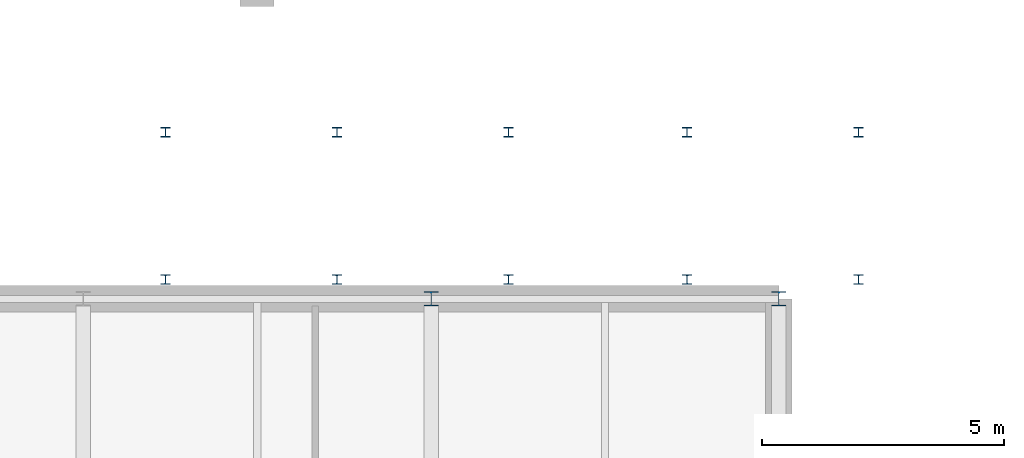
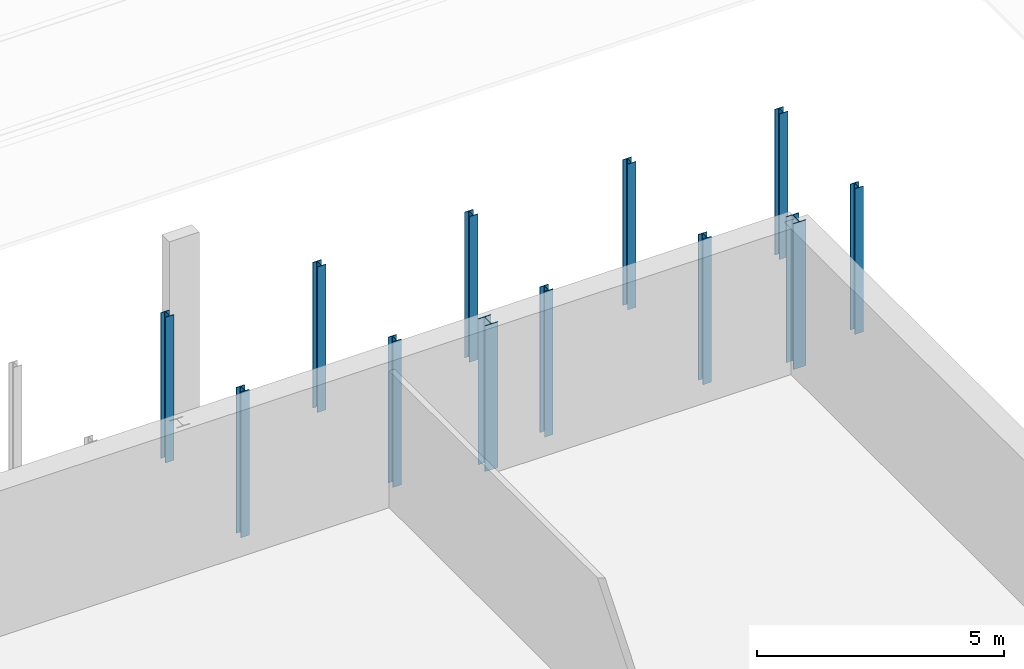
# One storey, part 26 of 90: 12 columns.
"""IFC4 building model written with IfcOpenShell, lengths in metres."""

from ifc_helpers import new_model, si_unit, direction, frame, origin, origin_2d, place, context, subcontext, project, spatial, i_section, extrude, material, material_profile, profile_set, type_object, element, save


model = new_model("IFC4")

# Units and contexts
model_context = context("Model", 3, precision=1e-05, world=origin(), true_north=direction((0.0, 1.0)))
body_context = subcontext(model_context, "Body", "Model", "MODEL_VIEW")
ifc_project = project(units=[si_unit("LENGTHUNIT", "METRE"), si_unit("AREAUNIT", "SQUARE_METRE"), si_unit("VOLUMEUNIT", "CUBIC_METRE"), si_unit("PLANEANGLEUNIT", "RADIAN"), si_unit("MASSUNIT", "GRAM", prefix="KILO")], contexts=[model_context])

# Site, building, storey
site_placement = place(None, origin())
site = spatial("IfcSite", under=ifc_project, at=site_placement, CompositionType="ELEMENT")
building_placement = place(site_placement, origin())
building = spatial("IfcBuilding", under=site, at=building_placement, Name="Kupolbacken Congress Centre", CompositionType="ELEMENT")
storey_placement = place(building_placement, frame((0.0, 0.0, 3.60009765625)))
storey = spatial("IfcBuildingStorey", under=building, at=storey_placement, Name="L01", CompositionType="ELEMENT", Elevation=3.60009765625)

# Columns
ifc_material_1 = material(Name="Steel S355", Category="steel")
ifc_material_profile_1 = material_profile(ifc_material_1, i_section(OverallWidth=0.300048828125, OverallDepth=0.300048828125, WebThickness=0.010986328125, FlangeThickness=0.01904296875, FilletRadius=0.027099609375, at=origin_2d()), Name="HEB 300")
ifc_profile_set_1 = profile_set([ifc_material_profile_1], Name="Steel S355")
column_type_1 = type_object("IfcColumnType", Name="C06 column HEB 300", PredefinedType="COLUMN", material=ifc_profile_set_1)
for number, where, z_axis, x_axis, name in (
    (1, (194.39990234375, 151.199951171875, 0.0), (0.0, 0.0, 1.0), (1.0, 0.0, 0.0), "S/col/C-B-B7N/L01"),
    (2, (201.60009765625, 151.199951171875, 0.0), (0.0, 0.0, 1.0), (1.0, 0.0, 0.0), "S/col/C-B-B8N/L01"),
):
    element("IfcColumn", number, at=place(storey_placement, frame(where, z_axis=z_axis, x_axis=x_axis)), inside=storey, type_object=column_type_1, Name=name, PredefinedType="COLUMN", context=body_context, shape_type="SweptSolid", body=[
        extrude(i_section(OverallWidth=0.300048828125, OverallDepth=0.300048828125, WebThickness=0.010986328125, FlangeThickness=0.01904296875, FilletRadius=0.027099609375, at=origin_2d()), origin(), (0.0, 0.0, 1.0), 3.599853515625),
    ])
ifc_material_2 = material(Name="Steel S355", Category="steel")
ifc_material_profile_2 = material_profile(ifc_material_2, i_section(OverallWidth=0.199951171875, OverallDepth=0.199951171875, WebThickness=0.009033203125, FlangeThickness=0.014892578125, FilletRadius=0.01806640625, at=origin_2d()), Name="HEB 200")
ifc_profile_set_2 = profile_set([ifc_material_profile_2], Name="Steel S355")
column_type_2 = type_object("IfcColumnType", Name="C11 column HEB 200", PredefinedType="COLUMN", material=ifc_profile_set_2)
for number, where, z_axis, x_axis, name in (
    (3, (188.89990234375, 151.60009765625, 0.0), (0.0, 0.0, 1.0), (1.0, 0.0, 0.0), "Covered passage column"),
    (4, (188.89990234375, 154.64990234375, 0.0), (0.0, 0.0, 1.0), (1.0, 0.0, 0.0), "Covered passage column"),
    (5, (192.449951171875, 151.60009765625, 0.0), (0.0, 0.0, 1.0), (1.0, 0.0, 0.0), "Covered passage column"),
    (6, (192.449951171875, 154.64990234375, 0.0), (0.0, 0.0, 1.0), (1.0, 0.0, 0.0), "Covered passage column"),
    (7, (196.0, 151.60009765625, 0.0), (0.0, 0.0, 1.0), (1.0, 0.0, 0.0), "Covered passage column"),
    (8, (196.0, 154.64990234375, 0.0), (0.0, 0.0, 1.0), (1.0, 0.0, 0.0), "Covered passage column"),
    (9, (199.699951171875, 151.60009765625, 0.0), (0.0, 0.0, 1.0), (1.0, 0.0, 0.0), "Covered passage column"),
    (10, (199.699951171875, 154.64990234375, 0.0), (0.0, 0.0, 1.0), (1.0, 0.0, 0.0), "Covered passage column"),
    (11, (203.25, 151.60009765625, 0.0), (0.0, 0.0, 1.0), (1.0, 0.0, 0.0), "Covered passage column"),
    (12, (203.25, 154.64990234375, 0.0), (0.0, 0.0, 1.0), (1.0, 0.0, 0.0), "Covered passage column"),
):
    element("IfcColumn", number, at=place(storey_placement, frame(where, z_axis=z_axis, x_axis=x_axis)), inside=storey, type_object=column_type_2, Name=name, PredefinedType="COLUMN", context=body_context, shape_type="SweptSolid", body=[
        extrude(i_section(OverallWidth=0.199951171875, OverallDepth=0.199951171875, WebThickness=0.009033203125, FlangeThickness=0.014892578125, FilletRadius=0.01806640625, at=origin_2d()), origin(), (0.0, 0.0, 1.0), 3.599853515625),
    ])

save(model, "model.ifc")
